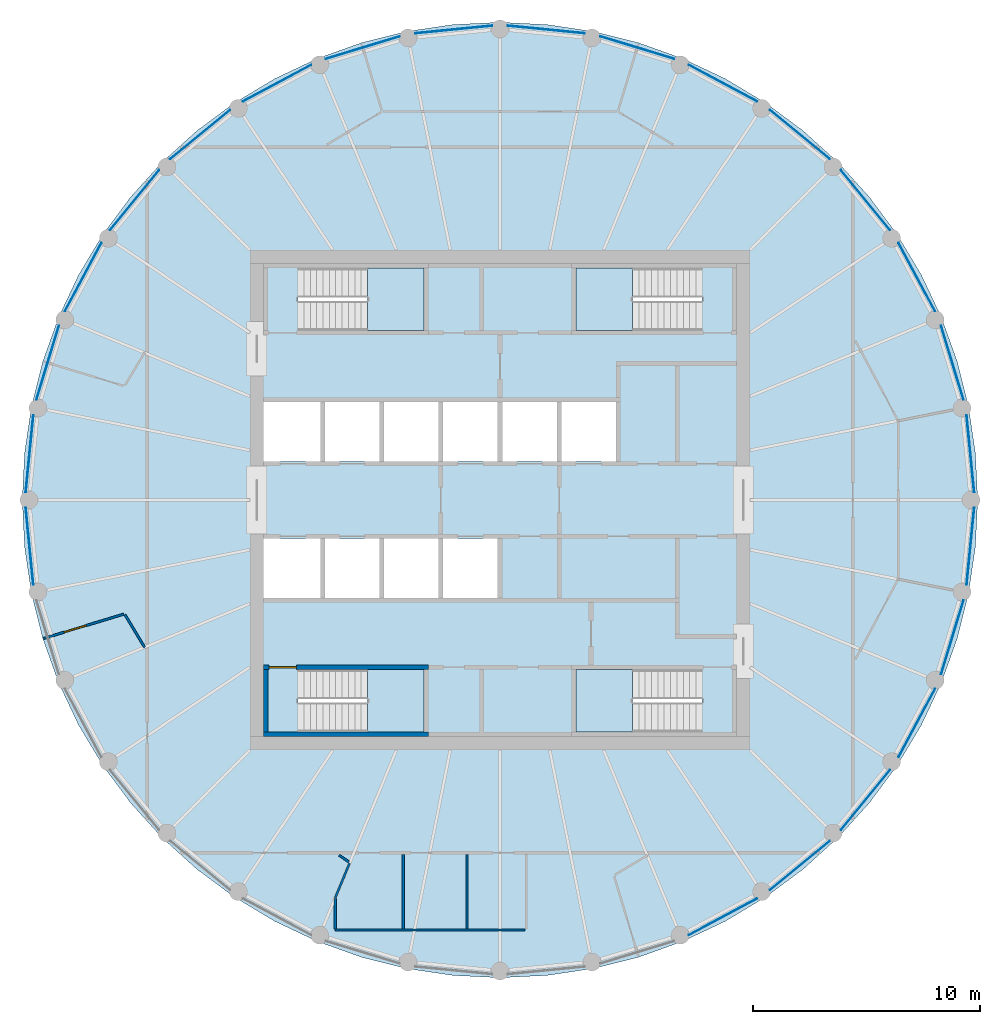
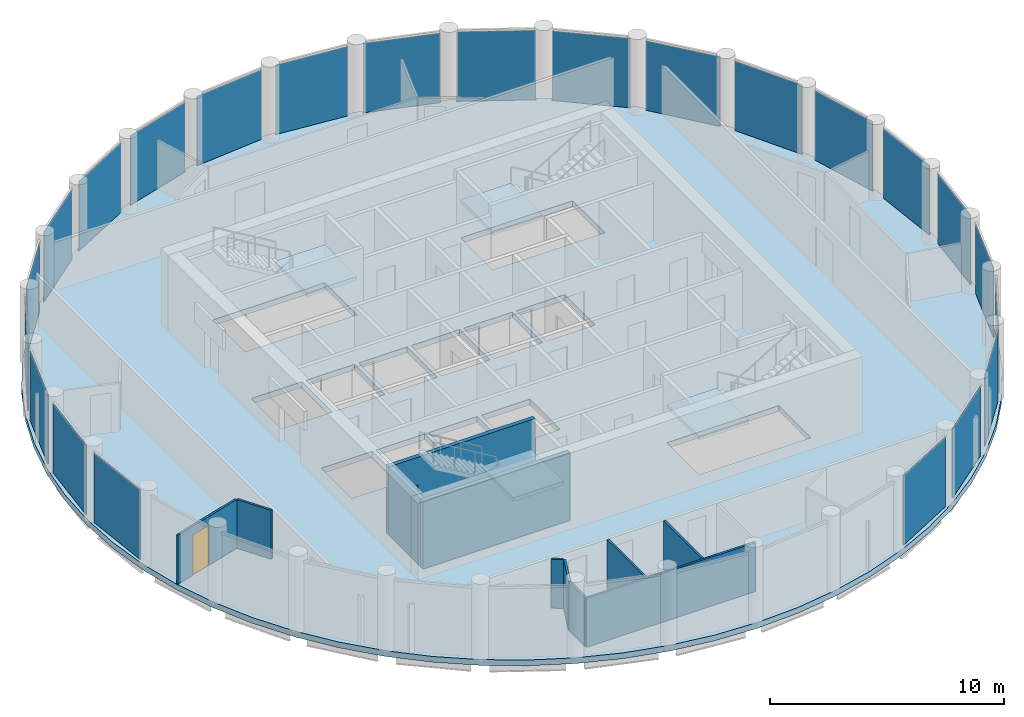
# One storey, part 3 of 7: 23 plates, 11 walls, 5 slabs, 2 doors, 2 openings, 27 elements without a shape of their own.
"""IFC4 building model written with IfcOpenShell, lengths in metres."""

from ifc_helpers import new_model, si_unit, direction, frame, frame_2d, origin, origin_2d, place, context, subcontext, project, spatial, polyline, rectangle, outline, extrude, material, layer, layer_set, type_object, element, fill, aggregate, save


model = new_model("IFC4")

# Units and contexts
model_context = context("Model", 3, precision=1e-05, world=origin(), true_north=direction((0.0, 1.0)))
body_context = subcontext(model_context, "Body", "Model", "MODEL_VIEW")
ifc_project = project(units=[si_unit("LENGTHUNIT", "METRE"), si_unit("AREAUNIT", "SQUARE_METRE"), si_unit("VOLUMEUNIT", "CUBIC_METRE"), si_unit("PLANEANGLEUNIT", "RADIAN"), si_unit("MASSUNIT", "GRAM", prefix="KILO")], contexts=[model_context])

# Site, building, storey
site_placement = place(None, origin())
site = spatial("IfcSite", under=ifc_project, at=site_placement, CompositionType="ELEMENT")
building_placement = place(site_placement, origin())
building = spatial("IfcBuilding", under=site, at=building_placement, Name="Corvane Civic Tower", CompositionType="ELEMENT")
storey_placement = place(building_placement, frame((0.0, 0.0, 376.5)))
storey = spatial("IfcBuildingStorey", under=building, at=storey_placement, Name="L90", CompositionType="ELEMENT", Elevation=376.5)

# Slab
ifc_material_1 = material(Name="Concrete C40/50", Category="concrete")
ifc_layer_1 = layer(ifc_material_1, 0.300048828125)
ifc_layer_set_1 = layer_set([ifc_layer_1], Name="Concrete C40/50")
slab_type_1 = type_object("IfcSlabType", Name="FLOOR SLAB 300", PredefinedType="FLOOR", material=ifc_layer_set_1)
slab_1_placement = place(storey_placement, frame((0.0, 0.0, -0.300048828125)))
element("IfcSlab", 1, at=slab_1_placement, inside=storey, type_object=slab_type_1, Name="SLB-L90", PredefinedType="FLOOR", context=body_context, shape_type="SweptSolid", body=[
    extrude(outline(polyline([(0.0, 21.0), (-2.058349609375, 20.89892578125), (-4.096923828125, 20.596435546875), (-6.095947265625, 20.095703125), (-8.036376953125, 19.4013671875), (-9.8994140625, 18.520263671875), (-11.6669921875, 17.4609375), (-13.322265625, 16.233154296875), (-14.84912109375, 14.84912109375), (-16.233154296875, 13.322265625), (-17.4609375, 11.6669921875), (-18.520263671875, 9.8994140625), (-19.4013671875, 8.036376953125), (-20.095703125, 6.095947265625), (-20.596435546875, 4.096923828125), (-20.89892578125, 2.058349609375), (-21.0, 0.0), (-20.89892578125, -2.058349609375), (-20.596435546875, -4.096923828125), (-20.095703125, -6.095947265625), (-19.4013671875, -8.036376953125), (-18.520263671875, -9.8994140625), (-17.4609375, -11.6669921875), (-16.233154296875, -13.322265625), (-14.84912109375, -14.84912109375), (-13.322265625, -16.233154296875), (-11.6669921875, -17.4609375), (-9.8994140625, -18.520263671875), (-8.036376953125, -19.4013671875), (-6.095947265625, -20.095703125), (-4.096923828125, -20.596435546875), (-2.058349609375, -20.89892578125), (0.0, -21.0), (2.058349609375, -20.89892578125), (4.096923828125, -20.596435546875), (6.095947265625, -20.095703125), (8.036376953125, -19.4013671875), (9.8994140625, -18.520263671875), (11.6669921875, -17.4609375), (13.322265625, -16.233154296875), (14.84912109375, -14.84912109375), (16.233154296875, -13.322265625), (17.4609375, -11.6669921875), (18.520263671875, -9.8994140625), (19.4013671875, -8.036376953125), (20.095703125, -6.095947265625), (20.596435546875, -4.096923828125), (20.89892578125, -2.058349609375), (21.0, 0.0), (20.89892578125, 2.058349609375), (20.596435546875, 4.096923828125), (20.095703125, 6.095947265625), (19.4013671875, 8.036376953125), (18.520263671875, 9.8994140625), (17.4609375, 11.6669921875), (16.233154296875, 13.322265625), (14.84912109375, 14.84912109375), (13.322265625, 16.233154296875), (11.6669921875, 17.4609375), (9.8994140625, 18.520263671875), (8.036376953125, 19.4013671875), (6.095947265625, 20.095703125), (4.096923828125, 20.596435546875), (2.058349609375, 20.89892578125), (0.0, 21.0)]), holes=[polyline([(-10.39990234375, 4.300048828125), (-7.89990234375, 4.300048828125), (-7.89990234375, 1.699951171875), (-10.39990234375, 1.699951171875), (-10.39990234375, 4.300048828125)]), polyline([(-5.300048828125, 1.699951171875), (-7.699951171875, 1.699951171875), (-7.699951171875, 4.300048828125), (-5.300048828125, 4.300048828125), (-5.300048828125, 1.699951171875)]), polyline([(-2.699951171875, 1.699951171875), (-5.10009765625, 1.699951171875), (-5.10009765625, 4.300048828125), (-2.699951171875, 4.300048828125), (-2.699951171875, 1.699951171875)]), polyline([(-0.10009765625, 4.300048828125), (-0.10009765625, 1.699951171875), (-2.5, 1.699951171875), (-2.5, 4.300048828125), (-0.10009765625, 4.300048828125)]), polyline([(2.5, 4.300048828125), (2.5, 1.699951171875), (0.10009765625, 1.699951171875), (0.10009765625, 4.300048828125), (2.5, 4.300048828125)]), polyline([(5.10009765625, 4.300048828125), (5.10009765625, 1.699951171875), (2.699951171875, 1.699951171875), (2.699951171875, 4.300048828125), (5.10009765625, 4.300048828125)]), polyline([(-10.39990234375, -1.699951171875), (-7.89990234375, -1.699951171875), (-7.89990234375, -4.300048828125), (-10.39990234375, -4.300048828125), (-10.39990234375, -1.699951171875)]), polyline([(-5.300048828125, -1.699951171875), (-5.300048828125, -4.300048828125), (-7.699951171875, -4.300048828125), (-7.699951171875, -1.699951171875), (-5.300048828125, -1.699951171875)]), polyline([(-5.10009765625, -4.300048828125), (-5.10009765625, -1.699951171875), (-2.699951171875, -1.699951171875), (-2.699951171875, -4.300048828125), (-5.10009765625, -4.300048828125)]), polyline([(-2.5, -4.300048828125), (-2.5, -1.699951171875), (-0.10009765625, -1.699951171875), (-0.10009765625, -4.300048828125), (-2.5, -4.300048828125)]), polyline([(8.889892578125, 10.199951171875), (8.889892578125, 7.449951171875), (3.35009765625, 7.449951171875), (3.35009765625, 10.199951171875), (8.889892578125, 10.199951171875)]), polyline([(-8.889892578125, 7.449951171875), (-8.889892578125, 10.199951171875), (-3.35009765625, 10.199951171875), (-3.35009765625, 7.449951171875), (-8.889892578125, 7.449951171875)]), polyline([(8.889892578125, -7.449951171875), (8.889892578125, -10.199951171875), (3.35009765625, -10.199951171875), (3.35009765625, -7.449951171875), (8.889892578125, -7.449951171875)]), polyline([(-8.889892578125, -10.199951171875), (-8.889892578125, -7.449951171875), (-3.35009765625, -7.449951171875), (-3.35009765625, -10.199951171875), (-8.889892578125, -10.199951171875)])]), origin(), (0.0, 0.0, 1.0), 0.300048828125),
])

# Stair, slab
ifc_material_2 = material(Name="Concrete C40/50", Category="concrete")
stair_type = type_object("IfcStairType", Name="ST-STAIR-HALFTURN", PredefinedType="HALF_TURN_STAIR", material=ifc_material_2)
stair_1_placement = place(storey_placement, origin())
stair_1 = element("IfcStair", 2, at=stair_1_placement, inside=storey, type_object=stair_type, Name="L90 Exit stair ST1", PredefinedType="HALF_TURN_STAIR")
ifc_material_3 = material(Name="Concrete C40/50", Category="concrete")
ifc_layer_2 = layer(ifc_material_3, 0.199951171875)
ifc_layer_set_2 = layer_set([ifc_layer_2], Name="Concrete C40/50")
slab_type_2 = type_object("IfcSlabType", Name="ST-LANDING-RC", PredefinedType="LANDING", material=ifc_layer_set_2)
slab_2_placement = place(storey_placement, frame((0.0, 0.0, 1.800048828125)))
slab_2 = element("IfcSlab", 3, at=slab_2_placement, type_object=slab_type_2, Name="ST1 landing 1", PredefinedType="LANDING", context=body_context, shape_type="SweptSolid", body=[
    extrude(outline(polyline([(5.820068359375, 10.199951171875), (3.35009765625, 10.199951171875), (3.35009765625, 7.449951171875), (5.820068359375, 7.449951171875), (5.820068359375, 10.199951171875)])), origin(), (0.0, 0.0, 1.0), 0.199951171875),
])
aggregate(stair_1, [slab_2])

stair_2_placement = place(storey_placement, origin())
stair_2 = element("IfcStair", 4, at=stair_2_placement, inside=storey, type_object=stair_type, Name="L90 Exit stair ST2", PredefinedType="HALF_TURN_STAIR")
slab_3_placement = place(storey_placement, frame((0.0, 0.0, 1.800048828125)))
slab_3 = element("IfcSlab", 5, at=slab_3_placement, type_object=slab_type_2, Name="ST2 landing 1", PredefinedType="LANDING", context=body_context, shape_type="SweptSolid", body=[
    extrude(outline(polyline([(5.820068359375, -7.449951171875), (3.35009765625, -7.449951171875), (3.35009765625, -10.199951171875), (5.820068359375, -10.199951171875), (5.820068359375, -7.449951171875)])), origin(), (0.0, 0.0, 1.0), 0.199951171875),
])
aggregate(stair_2, [slab_3])

stair_3_placement = place(storey_placement, origin())
stair_3 = element("IfcStair", 6, at=stair_3_placement, inside=storey, type_object=stair_type, Name="L90 Exit stair ST3", PredefinedType="HALF_TURN_STAIR")
slab_4_placement = place(storey_placement, frame((0.0, 0.0, 1.800048828125)))
slab_4 = element("IfcSlab", 7, at=slab_4_placement, type_object=slab_type_2, Name="ST3 landing 1", PredefinedType="LANDING", context=body_context, shape_type="SweptSolid", body=[
    extrude(outline(polyline([(-5.820068359375, -10.199951171875), (-3.35009765625, -10.199951171875), (-3.35009765625, -7.449951171875), (-5.820068359375, -7.449951171875), (-5.820068359375, -10.199951171875)])), origin(), (0.0, 0.0, 1.0), 0.199951171875),
])
aggregate(stair_3, [slab_4])

stair_4_placement = place(storey_placement, origin())
stair_4 = element("IfcStair", 8, at=stair_4_placement, inside=storey, type_object=stair_type, Name="L90 Exit stair ST4", PredefinedType="HALF_TURN_STAIR")
slab_5_placement = place(storey_placement, frame((0.0, 0.0, 1.800048828125)))
slab_5 = element("IfcSlab", 9, at=slab_5_placement, type_object=slab_type_2, Name="ST4 landing 1", PredefinedType="LANDING", context=body_context, shape_type="SweptSolid", body=[
    extrude(outline(polyline([(-5.820068359375, 7.449951171875), (-3.35009765625, 7.449951171875), (-3.35009765625, 10.199951171875), (-5.820068359375, 10.199951171875), (-5.820068359375, 7.449951171875)])), origin(), (0.0, 0.0, 1.0), 0.199951171875),
])
aggregate(stair_4, [slab_5])

# Curtain wall, plate
ifc_material_4 = material(Name="Anodised aluminium bronze", Category="aluminium")
curtain_wall_type = type_object("IfcCurtainWallType", Name="TOWER CW-T3 STICK CURTAIN WALL", PredefinedType="NOTDEFINED", material=ifc_material_4)
curtain_wall_1_placement = place(storey_placement, origin())
curtain_wall_1 = element("IfcCurtainWall", 10, at=curtain_wall_1_placement, inside=storey, type_object=curtain_wall_type, Name="Curtain wall CW-T3 L90 bay 01", PredefinedType="NOTDEFINED")
ifc_material_5 = material(Name="Tinted glass", Category="glass")
ifc_layer_3 = layer(ifc_material_5, 0.028076171875)
ifc_layer_set_3 = layer_set([ifc_layer_3], Name="Tinted glass")
plate_type = type_object("IfcPlateType", Name="TOWER CW-T3 PANEL IGU28", PredefinedType="CURTAIN_PANEL", material=ifc_layer_set_3)
plate_1_placement = place(storey_placement, frame((2.03662109375, 20.679443359375, 0.0), z_axis=(0.0, 0.0, 1.0), x_axis=(0.995186641028, -0.097997701601, 0.0)))
plate_1 = element("IfcPlate", 11, at=plate_1_placement, type_object=plate_type, Name="Glass panel CW-T3 L90 01.1", PredefinedType="CURTAIN_PANEL", context=body_context, shape_type="SweptSolid", body=[
    extrude(rectangle(XDim=3.402587890625, YDim=0.028076171875, at=origin_2d()), origin(), (0.0, 0.0, 1.0), 3.6298828125),
])
aggregate(curtain_wall_1, [plate_1])

curtain_wall_2_placement = place(storey_placement, origin())
curtain_wall_2 = element("IfcCurtainWall", 12, at=curtain_wall_2_placement, inside=storey, type_object=curtain_wall_type, Name="Curtain wall CW-T3 L90 bay 02", PredefinedType="NOTDEFINED")
plate_2_placement = place(storey_placement, frame((6.031982421875, 19.884765625, 0.0), z_axis=(0.0, 0.0, 1.0), x_axis=(0.956938582641, -0.290290456359, 0.0)))
plate_2 = element("IfcPlate", 13, at=plate_2_placement, type_object=plate_type, Name="Glass panel CW-T3 L90 02.1", PredefinedType="CURTAIN_PANEL", context=body_context, shape_type="SweptSolid", body=[
    extrude(rectangle(XDim=3.40283203125, YDim=0.028076171875, at=origin_2d()), origin(), (0.0, 0.0, 1.0), 3.6298828125),
])
aggregate(curtain_wall_2, [plate_2])

curtain_wall_3_placement = place(storey_placement, origin())
curtain_wall_3 = element("IfcCurtainWall", 14, at=curtain_wall_3_placement, inside=storey, type_object=curtain_wall_type, Name="Curtain wall CW-T3 L90 bay 03", PredefinedType="NOTDEFINED")
plate_3_placement = place(storey_placement, frame((9.79541015625, 18.325927734375, 0.0), z_axis=(0.0, 0.0, 1.0), x_axis=(0.88192824848, -0.471383670202, 0.0)))
plate_3 = element("IfcPlate", 15, at=plate_3_placement, type_object=plate_type, Name="Glass panel CW-T3 L90 03.1", PredefinedType="CURTAIN_PANEL", context=body_context, shape_type="SweptSolid", body=[
    extrude(rectangle(XDim=3.40234375, YDim=0.028076171875, at=origin_2d()), origin(), (0.0, 0.0, 1.0), 3.6298828125),
])
aggregate(curtain_wall_3, [plate_3])

curtain_wall_4_placement = place(storey_placement, origin())
curtain_wall_4 = element("IfcCurtainWall", 16, at=curtain_wall_4_placement, inside=storey, type_object=curtain_wall_type, Name="Curtain wall CW-T3 L90 bay 04", PredefinedType="NOTDEFINED")
plate_4_placement = place(storey_placement, frame((13.182373046875, 16.062744140625, 0.0), z_axis=(0.0, 0.0, 1.0), x_axis=(0.773010369391, -0.634393386484, 0.0)))
plate_4 = element("IfcPlate", 17, at=plate_4_placement, type_object=plate_type, Name="Glass panel CW-T3 L90 04.1", PredefinedType="CURTAIN_PANEL", context=body_context, shape_type="SweptSolid", body=[
    extrude(rectangle(XDim=3.402587890625, YDim=0.028076171875, at=origin_2d()), origin(), (0.0, 0.0, 1.0), 3.6298828125),
])
aggregate(curtain_wall_4, [plate_4])

curtain_wall_5_placement = place(storey_placement, origin())
curtain_wall_5 = element("IfcCurtainWall", 18, at=curtain_wall_5_placement, inside=storey, type_object=curtain_wall_type, Name="Curtain wall CW-T3 L90 bay 05", PredefinedType="NOTDEFINED")
plate_5_placement = place(storey_placement, frame((16.062744140625, 13.182373046875, 0.0), z_axis=(0.0, 0.0, 1.0), x_axis=(0.634393386484, -0.773010369391, 0.0)))
plate_5 = element("IfcPlate", 19, at=plate_5_placement, type_object=plate_type, Name="Glass panel CW-T3 L90 05.1", PredefinedType="CURTAIN_PANEL", context=body_context, shape_type="SweptSolid", body=[
    extrude(rectangle(XDim=3.402587890625, YDim=0.028076171875, at=origin_2d()), origin(), (0.0, 0.0, 1.0), 3.6298828125),
])
aggregate(curtain_wall_5, [plate_5])

curtain_wall_6_placement = place(storey_placement, origin())
curtain_wall_6 = element("IfcCurtainWall", 20, at=curtain_wall_6_placement, inside=storey, type_object=curtain_wall_type, Name="Curtain wall CW-T3 L90 bay 06", PredefinedType="NOTDEFINED")
plate_6_placement = place(storey_placement, frame((18.325927734375, 9.79541015625, 0.0), z_axis=(0.0, 0.0, 1.0), x_axis=(0.471383670202, -0.88192824848, 0.0)))
plate_6 = element("IfcPlate", 21, at=plate_6_placement, type_object=plate_type, Name="Glass panel CW-T3 L90 06.1", PredefinedType="CURTAIN_PANEL", context=body_context, shape_type="SweptSolid", body=[
    extrude(rectangle(XDim=3.40234375, YDim=0.028076171875, at=origin_2d()), origin(), (0.0, 0.0, 1.0), 3.6298828125),
])
aggregate(curtain_wall_6, [plate_6])

curtain_wall_7_placement = place(storey_placement, origin())
curtain_wall_7 = element("IfcCurtainWall", 22, at=curtain_wall_7_placement, inside=storey, type_object=curtain_wall_type, Name="Curtain wall CW-T3 L90 bay 07", PredefinedType="NOTDEFINED")
plate_7_placement = place(storey_placement, frame((19.884765625, 6.031982421875, 0.0), z_axis=(0.0, 0.0, 1.0), x_axis=(0.290290456359, -0.956938582641, 0.0)))
plate_7 = element("IfcPlate", 23, at=plate_7_placement, type_object=plate_type, Name="Glass panel CW-T3 L90 07.1", PredefinedType="CURTAIN_PANEL", context=body_context, shape_type="SweptSolid", body=[
    extrude(rectangle(XDim=3.40283203125, YDim=0.028076171875, at=origin_2d()), origin(), (0.0, 0.0, 1.0), 3.6298828125),
])
aggregate(curtain_wall_7, [plate_7])

curtain_wall_8_placement = place(storey_placement, origin())
curtain_wall_8 = element("IfcCurtainWall", 24, at=curtain_wall_8_placement, inside=storey, type_object=curtain_wall_type, Name="Curtain wall CW-T3 L90 bay 08", PredefinedType="NOTDEFINED")
plate_8_placement = place(storey_placement, frame((20.679443359375, 2.03662109375, 0.0), z_axis=(0.0, 0.0, 1.0), x_axis=(0.097997701601, -0.995186641028, 0.0)))
plate_8 = element("IfcPlate", 25, at=plate_8_placement, type_object=plate_type, Name="Glass panel CW-T3 L90 08.1", PredefinedType="CURTAIN_PANEL", context=body_context, shape_type="SweptSolid", body=[
    extrude(rectangle(XDim=3.402587890625, YDim=0.028076171875, at=origin_2d()), origin(), (0.0, 0.0, 1.0), 3.6298828125),
])
aggregate(curtain_wall_8, [plate_8])

curtain_wall_9_placement = place(storey_placement, origin())
curtain_wall_9 = element("IfcCurtainWall", 26, at=curtain_wall_9_placement, inside=storey, type_object=curtain_wall_type, Name="Curtain wall CW-T3 L90 bay 09", PredefinedType="NOTDEFINED")
plate_9_placement = place(storey_placement, frame((20.679443359375, -2.03662109375, 0.0), z_axis=(0.0, 0.0, 1.0), x_axis=(-0.097997701601, -0.995186641028, 0.0)))
plate_9 = element("IfcPlate", 27, at=plate_9_placement, type_object=plate_type, Name="Glass panel CW-T3 L90 09.1", PredefinedType="CURTAIN_PANEL", context=body_context, shape_type="SweptSolid", body=[
    extrude(rectangle(XDim=3.402587890625, YDim=0.028076171875, at=origin_2d()), origin(), (0.0, 0.0, 1.0), 3.6298828125),
])
aggregate(curtain_wall_9, [plate_9])

curtain_wall_10_placement = place(storey_placement, origin())
curtain_wall_10 = element("IfcCurtainWall", 28, at=curtain_wall_10_placement, inside=storey, type_object=curtain_wall_type, Name="Curtain wall CW-T3 L90 bay 10", PredefinedType="NOTDEFINED")
plate_10_placement = place(storey_placement, frame((19.884765625, -6.031982421875, 0.0), z_axis=(0.0, 0.0, 1.0), x_axis=(-0.290290456359, -0.956938582641, 0.0)))
plate_10 = element("IfcPlate", 29, at=plate_10_placement, type_object=plate_type, Name="Glass panel CW-T3 L90 10.1", PredefinedType="CURTAIN_PANEL", context=body_context, shape_type="SweptSolid", body=[
    extrude(rectangle(XDim=3.40283203125, YDim=0.028076171875, at=origin_2d()), origin(), (0.0, 0.0, 1.0), 3.6298828125),
])
aggregate(curtain_wall_10, [plate_10])

curtain_wall_11_placement = place(storey_placement, origin())
curtain_wall_11 = element("IfcCurtainWall", 30, at=curtain_wall_11_placement, inside=storey, type_object=curtain_wall_type, Name="Curtain wall CW-T3 L90 bay 11", PredefinedType="NOTDEFINED")
plate_11_placement = place(storey_placement, frame((18.325927734375, -9.79541015625, 0.0), z_axis=(0.0, 0.0, 1.0), x_axis=(-0.471383670202, -0.88192824848, 0.0)))
plate_11 = element("IfcPlate", 31, at=plate_11_placement, type_object=plate_type, Name="Glass panel CW-T3 L90 11.1", PredefinedType="CURTAIN_PANEL", context=body_context, shape_type="SweptSolid", body=[
    extrude(rectangle(XDim=3.40234375, YDim=0.028076171875, at=origin_2d()), origin(), (0.0, 0.0, 1.0), 3.6298828125),
])
aggregate(curtain_wall_11, [plate_11])

curtain_wall_12_placement = place(storey_placement, origin())
curtain_wall_12 = element("IfcCurtainWall", 32, at=curtain_wall_12_placement, inside=storey, type_object=curtain_wall_type, Name="Curtain wall CW-T3 L90 bay 12", PredefinedType="NOTDEFINED")
plate_12_placement = place(storey_placement, frame((16.062744140625, -13.182373046875, 0.0), z_axis=(0.0, 0.0, 1.0), x_axis=(-0.634393386484, -0.773010369391, 0.0)))
plate_12 = element("IfcPlate", 33, at=plate_12_placement, type_object=plate_type, Name="Glass panel CW-T3 L90 12.1", PredefinedType="CURTAIN_PANEL", context=body_context, shape_type="SweptSolid", body=[
    extrude(rectangle(XDim=3.402587890625, YDim=0.028076171875, at=origin_2d()), origin(), (0.0, 0.0, 1.0), 3.6298828125),
])
aggregate(curtain_wall_12, [plate_12])

curtain_wall_13_placement = place(storey_placement, origin())
curtain_wall_13 = element("IfcCurtainWall", 34, at=curtain_wall_13_placement, inside=storey, type_object=curtain_wall_type, Name="Curtain wall CW-T3 L90 bay 13", PredefinedType="NOTDEFINED")
plate_13_placement = place(storey_placement, frame((13.182373046875, -16.062744140625, 0.0), z_axis=(0.0, 0.0, 1.0), x_axis=(-0.773010369391, -0.634393386484, 0.0)))
plate_13 = element("IfcPlate", 35, at=plate_13_placement, type_object=plate_type, Name="Glass panel CW-T3 L90 13.1", PredefinedType="CURTAIN_PANEL", context=body_context, shape_type="SweptSolid", body=[
    extrude(rectangle(XDim=3.402587890625, YDim=0.028076171875, at=origin_2d()), origin(), (0.0, 0.0, 1.0), 3.6298828125),
])
aggregate(curtain_wall_13, [plate_13])

curtain_wall_14_placement = place(storey_placement, origin())
curtain_wall_14 = element("IfcCurtainWall", 36, at=curtain_wall_14_placement, inside=storey, type_object=curtain_wall_type, Name="Curtain wall CW-T3 L90 bay 14", PredefinedType="NOTDEFINED")
plate_14_placement = place(storey_placement, frame((9.79541015625, -18.325927734375, 0.0), z_axis=(0.0, 0.0, 1.0), x_axis=(-0.88192824848, -0.471383670202, 0.0)))
plate_14 = element("IfcPlate", 37, at=plate_14_placement, type_object=plate_type, Name="Glass panel CW-T3 L90 14.1", PredefinedType="CURTAIN_PANEL", context=body_context, shape_type="SweptSolid", body=[
    extrude(rectangle(XDim=3.40234375, YDim=0.028076171875, at=origin_2d()), origin(), (0.0, 0.0, 1.0), 3.6298828125),
])
aggregate(curtain_wall_14, [plate_14])

curtain_wall_15_placement = place(storey_placement, origin())
curtain_wall_15 = element("IfcCurtainWall", 38, at=curtain_wall_15_placement, inside=storey, type_object=curtain_wall_type, Name="Curtain wall CW-T3 L90 bay 24", PredefinedType="NOTDEFINED")
plate_15_placement = place(storey_placement, frame((-20.679443359375, -2.03662109375, 0.0), z_axis=(0.0, 0.0, 1.0), x_axis=(-0.097997701601, 0.995186641028, 0.0)))
plate_15 = element("IfcPlate", 39, at=plate_15_placement, type_object=plate_type, Name="Glass panel CW-T3 L90 24.1", PredefinedType="CURTAIN_PANEL", context=body_context, shape_type="SweptSolid", body=[
    extrude(rectangle(XDim=3.402587890625, YDim=0.028076171875, at=origin_2d()), origin(), (0.0, 0.0, 1.0), 3.6298828125),
])
aggregate(curtain_wall_15, [plate_15])

curtain_wall_16_placement = place(storey_placement, origin())
curtain_wall_16 = element("IfcCurtainWall", 40, at=curtain_wall_16_placement, inside=storey, type_object=curtain_wall_type, Name="Curtain wall CW-T3 L90 bay 25", PredefinedType="NOTDEFINED")
plate_16_placement = place(storey_placement, frame((-20.679443359375, 2.03662109375, 0.0), z_axis=(0.0, 0.0, 1.0), x_axis=(0.097997701601, 0.995186641028, 0.0)))
plate_16 = element("IfcPlate", 41, at=plate_16_placement, type_object=plate_type, Name="Glass panel CW-T3 L90 25.1", PredefinedType="CURTAIN_PANEL", context=body_context, shape_type="SweptSolid", body=[
    extrude(rectangle(XDim=3.402587890625, YDim=0.028076171875, at=origin_2d()), origin(), (0.0, 0.0, 1.0), 3.6298828125),
])
aggregate(curtain_wall_16, [plate_16])

curtain_wall_17_placement = place(storey_placement, origin())
curtain_wall_17 = element("IfcCurtainWall", 42, at=curtain_wall_17_placement, inside=storey, type_object=curtain_wall_type, Name="Curtain wall CW-T3 L90 bay 26", PredefinedType="NOTDEFINED")
plate_17_placement = place(storey_placement, frame((-19.884765625, 6.031982421875, 0.0), z_axis=(0.0, 0.0, 1.0), x_axis=(0.290290456359, 0.956938582641, 0.0)))
plate_17 = element("IfcPlate", 43, at=plate_17_placement, type_object=plate_type, Name="Glass panel CW-T3 L90 26.1", PredefinedType="CURTAIN_PANEL", context=body_context, shape_type="SweptSolid", body=[
    extrude(rectangle(XDim=3.40283203125, YDim=0.028076171875, at=origin_2d()), origin(), (0.0, 0.0, 1.0), 3.6298828125),
])
aggregate(curtain_wall_17, [plate_17])

curtain_wall_18_placement = place(storey_placement, origin())
curtain_wall_18 = element("IfcCurtainWall", 44, at=curtain_wall_18_placement, inside=storey, type_object=curtain_wall_type, Name="Curtain wall CW-T3 L90 bay 27", PredefinedType="NOTDEFINED")
plate_18_placement = place(storey_placement, frame((-18.325927734375, 9.79541015625, 0.0), z_axis=(0.0, 0.0, 1.0), x_axis=(0.471383670202, 0.88192824848, 0.0)))
plate_18 = element("IfcPlate", 45, at=plate_18_placement, type_object=plate_type, Name="Glass panel CW-T3 L90 27.1", PredefinedType="CURTAIN_PANEL", context=body_context, shape_type="SweptSolid", body=[
    extrude(rectangle(XDim=3.40234375, YDim=0.028076171875, at=origin_2d()), origin(), (0.0, 0.0, 1.0), 3.6298828125),
])
aggregate(curtain_wall_18, [plate_18])

curtain_wall_19_placement = place(storey_placement, origin())
curtain_wall_19 = element("IfcCurtainWall", 46, at=curtain_wall_19_placement, inside=storey, type_object=curtain_wall_type, Name="Curtain wall CW-T3 L90 bay 28", PredefinedType="NOTDEFINED")
plate_19_placement = place(storey_placement, frame((-16.062744140625, 13.182373046875, 0.0), z_axis=(0.0, 0.0, 1.0), x_axis=(0.634393386484, 0.773010369391, 0.0)))
plate_19 = element("IfcPlate", 47, at=plate_19_placement, type_object=plate_type, Name="Glass panel CW-T3 L90 28.1", PredefinedType="CURTAIN_PANEL", context=body_context, shape_type="SweptSolid", body=[
    extrude(rectangle(XDim=3.402587890625, YDim=0.028076171875, at=origin_2d()), origin(), (0.0, 0.0, 1.0), 3.6298828125),
])
aggregate(curtain_wall_19, [plate_19])

curtain_wall_20_placement = place(storey_placement, origin())
curtain_wall_20 = element("IfcCurtainWall", 48, at=curtain_wall_20_placement, inside=storey, type_object=curtain_wall_type, Name="Curtain wall CW-T3 L90 bay 29", PredefinedType="NOTDEFINED")
plate_20_placement = place(storey_placement, frame((-13.182373046875, 16.062744140625, 0.0), z_axis=(0.0, 0.0, 1.0), x_axis=(0.773010369391, 0.634393386484, 0.0)))
plate_20 = element("IfcPlate", 49, at=plate_20_placement, type_object=plate_type, Name="Glass panel CW-T3 L90 29.1", PredefinedType="CURTAIN_PANEL", context=body_context, shape_type="SweptSolid", body=[
    extrude(rectangle(XDim=3.402587890625, YDim=0.028076171875, at=origin_2d()), origin(), (0.0, 0.0, 1.0), 3.6298828125),
])
aggregate(curtain_wall_20, [plate_20])

curtain_wall_21_placement = place(storey_placement, origin())
curtain_wall_21 = element("IfcCurtainWall", 50, at=curtain_wall_21_placement, inside=storey, type_object=curtain_wall_type, Name="Curtain wall CW-T3 L90 bay 30", PredefinedType="NOTDEFINED")
plate_21_placement = place(storey_placement, frame((-9.79541015625, 18.325927734375, 0.0), z_axis=(0.0, 0.0, 1.0), x_axis=(0.88192824848, 0.471383670202, 0.0)))
plate_21 = element("IfcPlate", 51, at=plate_21_placement, type_object=plate_type, Name="Glass panel CW-T3 L90 30.1", PredefinedType="CURTAIN_PANEL", context=body_context, shape_type="SweptSolid", body=[
    extrude(rectangle(XDim=3.40234375, YDim=0.028076171875, at=origin_2d()), origin(), (0.0, 0.0, 1.0), 3.6298828125),
])
aggregate(curtain_wall_21, [plate_21])

curtain_wall_22_placement = place(storey_placement, origin())
curtain_wall_22 = element("IfcCurtainWall", 52, at=curtain_wall_22_placement, inside=storey, type_object=curtain_wall_type, Name="Curtain wall CW-T3 L90 bay 31", PredefinedType="NOTDEFINED")
plate_22_placement = place(storey_placement, frame((-6.031982421875, 19.884765625, 0.0), z_axis=(0.0, 0.0, 1.0), x_axis=(0.956938582641, 0.290290456359, 0.0)))
plate_22 = element("IfcPlate", 53, at=plate_22_placement, type_object=plate_type, Name="Glass panel CW-T3 L90 31.1", PredefinedType="CURTAIN_PANEL", context=body_context, shape_type="SweptSolid", body=[
    extrude(rectangle(XDim=3.40283203125, YDim=0.028076171875, at=origin_2d()), origin(), (0.0, 0.0, 1.0), 3.6298828125),
])
aggregate(curtain_wall_22, [plate_22])

curtain_wall_23_placement = place(storey_placement, origin())
curtain_wall_23 = element("IfcCurtainWall", 54, at=curtain_wall_23_placement, inside=storey, type_object=curtain_wall_type, Name="Curtain wall CW-T3 L90 bay 32", PredefinedType="NOTDEFINED")
plate_23_placement = place(storey_placement, frame((-2.03662109375, 20.679443359375, 0.0), z_axis=(0.0, 0.0, 1.0), x_axis=(0.995186641028, 0.097997701601, 0.0)))
plate_23 = element("IfcPlate", 55, at=plate_23_placement, type_object=plate_type, Name="Glass panel CW-T3 L90 32.1", PredefinedType="CURTAIN_PANEL", context=body_context, shape_type="SweptSolid", body=[
    extrude(rectangle(XDim=3.402587890625, YDim=0.028076171875, at=origin_2d()), origin(), (0.0, 0.0, 1.0), 3.6298828125),
])
aggregate(curtain_wall_23, [plate_23])

# Walls
ifc_material_6 = material(Name="Plasterboard")
ifc_layer_4 = layer(ifc_material_6, 0.10009765625)
ifc_layer_set_4 = layer_set([ifc_layer_4], Name="Plasterboard")
wall_type_1 = type_object("IfcWallType", Name="Partition 100 plasterboard on studs", PredefinedType="PARTITIONING", material=ifc_layer_set_4)
wall_1_placement = place(storey_placement, frame((-7.24755859375, -18.89990234375, 0.0), z_axis=(0.0, 0.0, 1.0), x_axis=(1.0, 0.0, 0.0)))
element("IfcWall", 56, at=wall_1_placement, inside=storey, type_object=wall_type_1, Name="Partition L90.002", PredefinedType="PARTITIONING", context=body_context, shape_type="SweptSolid", body=[
    extrude(rectangle(XDim=8.349853515625, YDim=0.10009765625, at=frame_2d((4.1748046875, 0.0))), origin(), (0.0, 0.0, 1.0), 2.550048828125),
])
wall_2_placement = place(storey_placement, frame((-7.24755859375, -18.85009765625, 0.0), z_axis=(0.0, 0.0, 1.0), x_axis=(0.0, 1.0, 0.0)))
element("IfcWall", 57, at=wall_2_placement, inside=storey, type_object=wall_type_1, Name="Partition L90.003", PredefinedType="PARTITIONING", context=body_context, shape_type="SweptSolid", body=[
    extrude(rectangle(XDim=1.343017578125, YDim=0.10009765625, at=frame_2d((0.67138671875, 0.0))), origin(), (0.0, 0.0, 1.0), 2.550048828125),
])
for number, where, z_axis, x_axis, name in (
    (58, (-4.24755859375, -18.85009765625, 0.0), (0.0, 0.0, 1.0), (0.0, 1.0, 0.0), "Partition L90.004"),
    (59, (-1.447509765625, -18.85009765625, 0.0), (0.0, 0.0, 1.0), (0.0, 1.0, 0.0), "Partition L90.005"),
):
    element("IfcWall", number, at=place(storey_placement, frame(where, z_axis=z_axis, x_axis=x_axis)), inside=storey, type_object=wall_type_1, Name=name, PredefinedType="PARTITIONING", context=body_context, shape_type="SweptSolid", body=[
        extrude(rectangle(XDim=3.275146484375, YDim=0.10009765625, at=frame_2d((1.6376953125, 0.0))), origin(), (0.0, 0.0, 1.0), 2.550048828125),
    ])
wall_3_placement = place(storey_placement, frame((-7.243896484375, -17.488037109375, 0.0), z_axis=(0.0, 0.0, 1.0), x_axis=(0.382820085528, 0.923822917077, 0.0)))
element("IfcWall", 60, at=wall_3_placement, inside=storey, type_object=wall_type_1, Name="Partition L90.007", PredefinedType="PARTITIONING", context=body_context, shape_type="SweptSolid", body=[
    extrude(rectangle(XDim=1.64208984375, YDim=0.10009765625, at=frame_2d((0.821044921875, 0.0))), origin(), (0.0, 0.0, 1.0), 2.550048828125),
])
wall_4_placement = place(storey_placement, frame((-7.072998046875, -15.61669921875, 0.0), z_axis=(0.0, 0.0, 1.0), x_axis=(0.831481006768, -0.555553179619, 0.0)))
element("IfcWall", 61, at=wall_4_placement, inside=storey, type_object=wall_type_1, Name="Partition L90.009", PredefinedType="PARTITIONING", context=body_context, shape_type="SweptSolid", body=[
    extrude(rectangle(XDim=0.5283203125, YDim=0.10009765625, at=frame_2d((0.26416015625, 0.0))), origin(), (0.0, 0.0, 1.0), 2.550048828125),
])
wall_5_placement = place(storey_placement, frame((-16.483154296875, -5.03955078125, 0.0), z_axis=(0.0, 0.0, 1.0), x_axis=(0.514090385025, -0.857736017679, 0.0)))
element("IfcWall", 62, at=wall_5_placement, inside=storey, type_object=wall_type_1, Name="Partition L90.014", PredefinedType="PARTITIONING", context=body_context, shape_type="SweptSolid", body=[
    extrude(rectangle(XDim=1.68310546875, YDim=0.10009765625, at=frame_2d((0.841552734375, 0.0))), origin(), (0.0, 0.0, 1.0), 2.550048828125),
])

# Wall, opening, door
wall_6_placement = place(storey_placement, frame((-20.048095703125, -6.08154296875, 0.0), z_axis=(0.0, 0.0, 1.0), x_axis=(0.956943699476, 0.290273588245, 0.0)))
wall_6 = element("IfcWall", 63, at=wall_6_placement, inside=storey, type_object=wall_type_1, Name="Partition L90.015", PredefinedType="PARTITIONING", context=body_context, shape_type="SweptSolid", body=[
    extrude(rectangle(XDim=3.665283203125, YDim=0.10009765625, at=frame_2d((1.83251953125, 0.0))), origin(), (0.0, 0.0, 1.0), 2.550048828125),
])
opening_1_placement = place(wall_6_placement, frame((0.9326171875, 0.0, 0.0)))
opening_1 = element("IfcOpeningElement", 64, at=opening_1_placement, cuts=wall_6, Name="Opening L90.015", PredefinedType="OPENING", context=body_context, shape_type="SweptSolid", body=[
    extrude(rectangle(XDim=1.0, YDim=2.10009765625, at=frame_2d((0.5, 1.050048828125))), frame((0.0, 0.06005859375, 0.0), z_axis=(0.0, -1.0, 0.0), x_axis=(1.0, 0.0, 0.0)), (0.0, 0.0, 1.0), 0.1201171875),
])
ifc_material_7 = material(Name="Timber", Category="wood")
door_type_1 = type_object("IfcDoorType", Name="Single door 1000", OperationType="NOTDEFINED", PredefinedType="DOOR", material=ifc_material_7)
door_1_placement = place(opening_1_placement, origin())
door_1 = element("IfcDoor", 65, at=door_1_placement, inside=storey, type_object=door_type_1, Name="Door L90.015", OperationType="SINGLE_SWING_RIGHT", OverallHeight=2.10009765625, OverallWidth=1.0, PredefinedType="DOOR", context=body_context, shape_type="SweptSolid", body=[
    extrude(rectangle(XDim=1.0, YDim=2.10009765625, at=frame_2d((0.5, 1.050048828125))), frame((0.0, 0.02490234375, 0.0), z_axis=(0.0, -1.0, 0.0), x_axis=(1.0, 0.0, 0.0)), (0.0, 0.0, 1.0), 0.050048828125),
])
fill(opening_1, door_1)

ifc_material_8 = material(Name="Concrete C50/60", Category="concrete")
ifc_layer_5 = layer(ifc_material_8, 0.199951171875)
ifc_layer_set_5 = layer_set([ifc_layer_5], Name="Concrete C50/60")
wall_type_2 = type_object("IfcWallType", Name="ST-WALL-200", PredefinedType="SHEAR", material=ifc_layer_set_5)
wall_7_placement = place(storey_placement, frame((-10.39990234375, -7.35009765625, 0.0), z_axis=(0.0, 0.0, 1.0), x_axis=(1.0, 0.0, 0.0)))
wall_7 = element("IfcWall", 66, at=wall_7_placement, inside=storey, type_object=wall_type_2, Name="L90 stair enclosure wall", PredefinedType="SHEAR", context=body_context, shape_type="SweptSolid", body=[
    extrude(rectangle(XDim=7.25, YDim=0.199951171875, at=frame_2d((3.625, 0.0))), origin(), (0.0, 0.0, 1.0), 3.550048828125),
])
opening_2_placement = place(wall_7_placement, frame((0.25, 0.0, 0.0)))
opening_2 = element("IfcOpeningElement", 67, at=opening_2_placement, cuts=wall_7, Name="Opening L90.C13", PredefinedType="OPENING", context=body_context, shape_type="SweptSolid", body=[
    extrude(rectangle(XDim=1.199951171875, YDim=2.10009765625, at=frame_2d((0.60009765625, 1.050048828125))), frame((0.0, 0.10986328125, 0.0), z_axis=(0.0, -1.0, 0.0), x_axis=(1.0, 0.0, 0.0)), (0.0, 0.0, 1.0), 0.219970703125),
])
ifc_material_9 = material(Name="Steel fire door leaf", Category="steel")
door_type_2 = type_object("IfcDoorType", Name="ST-DOOR-1200", OperationType="SINGLE_SWING_RIGHT", PredefinedType="DOOR", material=ifc_material_9)
door_2_placement = place(opening_2_placement, origin())
door_2 = element("IfcDoor", 68, at=door_2_placement, inside=storey, type_object=door_type_2, Name="L90 stair door", OperationType="SINGLE_SWING_RIGHT", OverallHeight=2.10009765625, OverallWidth=1.199951171875, PredefinedType="DOOR", context=body_context, shape_type="SweptSolid", body=[
    extrude(rectangle(XDim=1.199951171875, YDim=2.10009765625, at=frame_2d((0.60009765625, 1.050048828125))), frame((0.0, 0.02490234375, 0.0), z_axis=(0.0, -1.0, 0.0), x_axis=(1.0, 0.0, 0.0)), (0.0, 0.0, 1.0), 0.050048828125),
])
fill(opening_2, door_2)

# Walls
wall_8_placement = place(storey_placement, origin())
element("IfcWall", 69, at=wall_8_placement, inside=storey, type_object=wall_type_2, Name="L90 stair enclosure wall", PredefinedType="SHEAR", context=body_context, shape_type="SweptSolid", body=[
    extrude(outline(polyline([(-3.14990234375, -10.199951171875), (-3.14990234375, -10.39990234375), (-10.39990234375, -10.39990234375), (-10.39990234375, -10.199951171875), (-3.14990234375, -10.199951171875)])), origin(), (0.0, 0.0, 1.0), 3.550048828125),
])
wall_9_placement = place(storey_placement, origin())
element("IfcWall", 70, at=wall_9_placement, inside=storey, type_object=wall_type_2, Name="L90 stair enclosure wall", PredefinedType="SHEAR", context=body_context, shape_type="SweptSolid", body=[
    extrude(outline(polyline([(-10.199951171875, -7.449951171875), (-10.199951171875, -10.199951171875), (-10.39990234375, -10.199951171875), (-10.39990234375, -7.449951171875), (-10.199951171875, -7.449951171875)])), origin(), (0.0, 0.0, 1.0), 3.550048828125),
])

save(model, "model.ifc")
